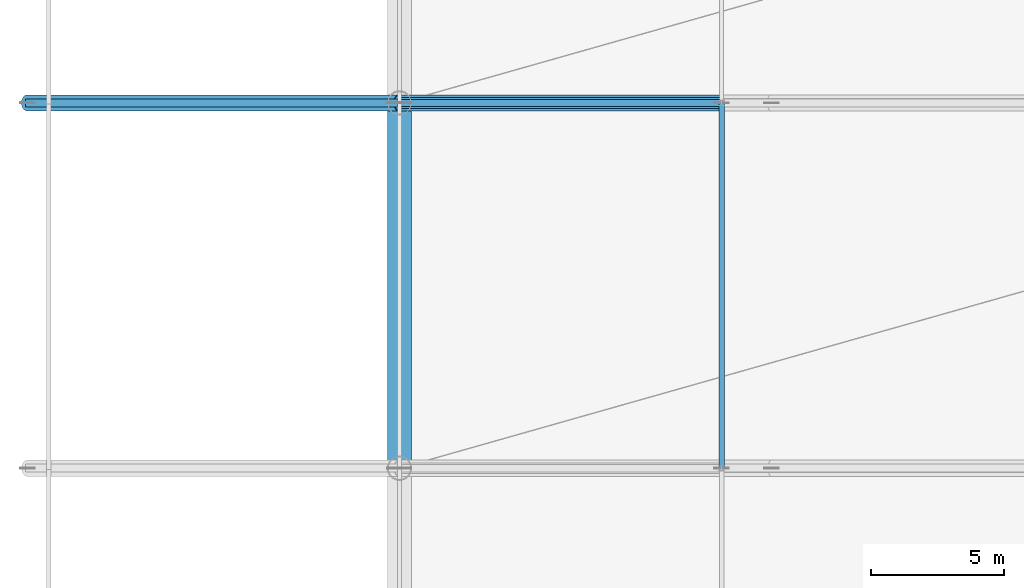
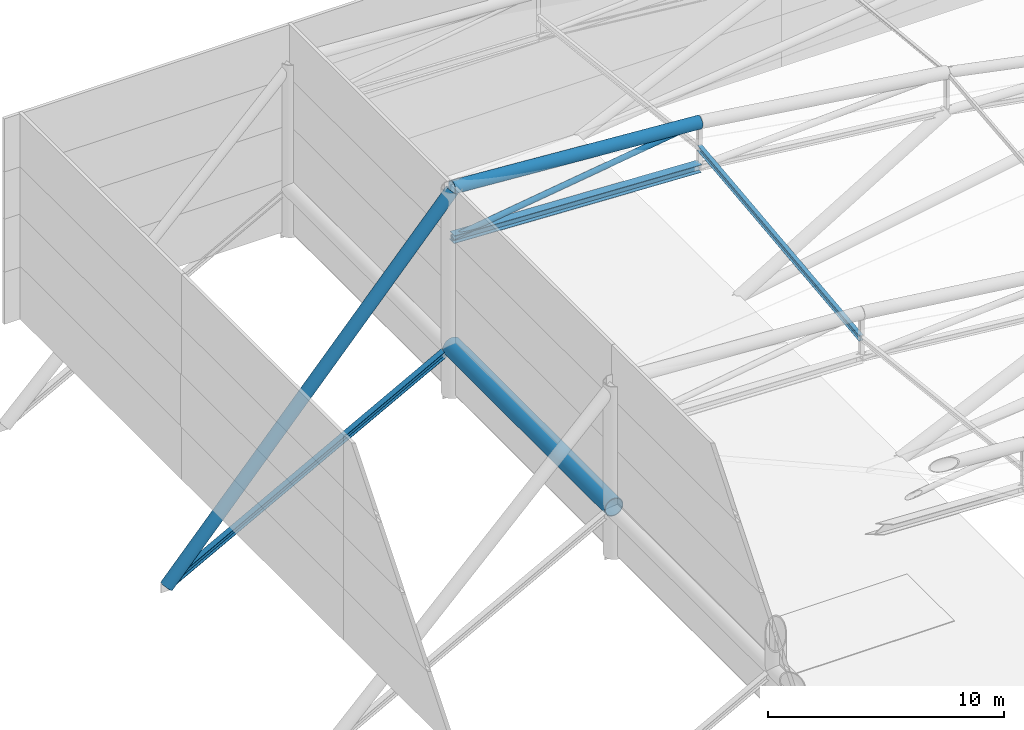
# One storey, part 19 of 36: 6 members, 1 beam.
"""IFC4 building model written with IfcOpenShell, lengths in metres."""

from ifc_helpers import new_model, si_unit, direction, frame, origin, origin_2d, place, context, subcontext, project, spatial, hollow_circle, i_section, extrude, material, material_profile, profile_set, type_object, element, save


model = new_model("IFC4")

# Units and contexts
model_context = context("Model", 3, precision=1e-05, world=origin(), true_north=direction((0.0, 1.0)))
body_context = subcontext(model_context, "Body", "Model", "MODEL_VIEW")
ifc_project = project(units=[si_unit("LENGTHUNIT", "METRE"), si_unit("AREAUNIT", "SQUARE_METRE"), si_unit("VOLUMEUNIT", "CUBIC_METRE"), si_unit("PLANEANGLEUNIT", "RADIAN"), si_unit("MASSUNIT", "GRAM", prefix="KILO")], contexts=[model_context])

# Site, building, storey
site_placement = place(None, origin())
site = spatial("IfcSite", under=ifc_project, at=site_placement, CompositionType="ELEMENT")
building_placement = place(site_placement, origin())
building = spatial("IfcBuilding", under=site, at=building_placement, Name="Linyun Crest Stadium", CompositionType="ELEMENT")
storey_placement = place(building_placement, frame((0.0, 0.0, 31.60009765625)))
storey = spatial("IfcBuildingStorey", under=building, at=storey_placement, Name="RF", CompositionType="ELEMENT", Elevation=31.60009765625)

# Beam
ifc_material_1 = material(Name="Steel Q420C", Category="steel")
ifc_material_profile_1 = material_profile(ifc_material_1, hollow_circle(Radius=0.45703125, WallThickness=0.0380859375, at=origin_2d()), Name="CHS 914x38")
ifc_profile_set_1 = profile_set([ifc_material_profile_1], Name="Steel Q420C")
beam_type = type_object("IfcBeamType", Name="HB02", PredefinedType="USERDEFINED", material=ifc_profile_set_1)
beam_placement = place(storey_placement, frame((-84.0, 15.875, 2.164794921875), z_axis=(0.0, 1.0, 0.0), x_axis=(-1.0, 0.0, 0.0)))
element("IfcBeam", 1, at=beam_placement, inside=storey, type_object=beam_type, Name="Roof Outer compression ring beam HB02 V1 12", ObjectType="RING BEAM", PredefinedType="USERDEFINED", context=body_context, shape_type="SweptSolid", body=[
    extrude(hollow_circle(Radius=0.45703125, WallThickness=0.0380859375, at=origin_2d()), origin(), (0.0, 0.0, 1.0), 13.75),
])

# Members
ifc_material_2 = material(Name="Steel Q355B", Category="steel")
ifc_material_profile_2 = material_profile(ifc_material_2, i_section(OverallWidth=0.199951171875, OverallDepth=0.2939453125, WebThickness=0.008056640625, FlangeThickness=0.011962890625, at=origin_2d()), Name="HM 294x200")
ifc_profile_set_2 = profile_set([ifc_material_profile_2], Name="Steel Q355B")
member_type_1 = type_object("IfcMemberType", Name="PR06", PredefinedType="PURLIN", material=ifc_profile_set_2)
member_1_placement = place(storey_placement, frame((-71.875, 15.875, 6.679931640625), z_axis=(0.0, 0.99369795001, 0.112090963715), x_axis=(-1.0, 0.0, 0.0)))
element("IfcMember", 2, at=member_1_placement, inside=storey, type_object=member_type_1, Name="Roof canopy purlin PR06 V1 173", PredefinedType="PURLIN", context=body_context, shape_type="SweptSolid", body=[
    extrude(i_section(OverallWidth=0.199951171875, OverallDepth=0.2939453125, WebThickness=0.008056640625, FlangeThickness=0.011962890625, at=origin_2d()), origin(), (0.0, 0.0, 1.0), 13.837158203125),
])
ifc_material_3 = material(Name="Steel Q420C", Category="steel")
ifc_material_profile_3 = material_profile(ifc_material_3, hollow_circle(Radius=0.304931640625, WallThickness=0.030029296875, at=origin_2d()), Name="CHS 610x30")
ifc_profile_set_3 = profile_set([ifc_material_profile_3], Name="Steel Q420C")
member_type_2 = type_object("IfcMemberType", Name="TC02", PredefinedType="CHORD", material=ifc_profile_set_3)
member_2_placement = place(storey_placement, frame((-84.0, 29.625, 10.25), z_axis=(-0.66719573983, 0.0, -0.744882436867), x_axis=(0.0, -1.0, 0.0)))
element("IfcMember", 3, at=member_2_placement, inside=storey, type_object=member_type_2, Name="Roof truss back-stay chord TC02 V1 115", PredefinedType="CHORD", context=body_context, shape_type="SweptSolid", body=[
    extrude(hollow_circle(Radius=0.304931640625, WallThickness=0.030029296875, at=origin_2d()), origin(), (0.0, 0.0, 1.0), 20.9833984375),
])
member_3_placement = place(storey_placement, frame((-84.0, 29.625, 10.39990234375), z_axis=(0.997482094845, 0.0, -0.070918759602), x_axis=(0.0, 1.0, 0.0)))
element("IfcMember", 4, at=member_3_placement, inside=storey, type_object=member_type_2, Name="Roof truss top chord TC02 V1 117", PredefinedType="CHORD", context=body_context, shape_type="SweptSolid", body=[
    extrude(hollow_circle(Radius=0.304931640625, WallThickness=0.030029296875, at=origin_2d()), origin(), (0.0, 0.0, 1.0), 12.155517578125),
])
ifc_material_4 = material(Name="Steel Q355C", Category="steel")
ifc_material_profile_4 = material_profile(ifc_material_4, i_section(OverallWidth=0.300048828125, OverallDepth=0.300048828125, WebThickness=0.010009765625, FlangeThickness=0.014892578125, at=origin_2d()), Name="HW 300x300")
ifc_profile_set_4 = profile_set([ifc_material_profile_4], Name="Steel Q355C")
member_type_3 = type_object("IfcMemberType", Name="TC03", PredefinedType="CHORD", material=ifc_profile_set_4)
member_4_placement = place(storey_placement, frame((-84.0, 29.625, 2.164794921875), z_axis=(-0.880301475787, 0.0, -0.474414704376), x_axis=(0.0, -1.0, 0.0)))
element("IfcMember", 5, at=member_4_placement, inside=storey, type_object=member_type_3, Name="Roof truss lower back-span chord TC03 V1 116", PredefinedType="CHORD", context=body_context, shape_type="SweptSolid", body=[
    extrude(i_section(OverallWidth=0.300048828125, OverallDepth=0.300048828125, WebThickness=0.010009765625, FlangeThickness=0.014892578125, at=origin_2d()), origin(), (0.0, 0.0, 1.0), 15.903564453125),
])
ifc_material_5 = material(Name="Steel Q420C", Category="steel")
ifc_material_profile_5 = material_profile(ifc_material_5, i_section(OverallWidth=0.407958984375, OverallDepth=0.39990234375, WebThickness=0.02099609375, FlangeThickness=0.02099609375, at=origin_2d()), Name="HW 400x408")
ifc_profile_set_5 = profile_set([ifc_material_profile_5], Name="Steel Q420C")
member_type_4 = type_object("IfcMemberType", Name="TC04", PredefinedType="CHORD", material=ifc_profile_set_5)
member_5_placement = place(storey_placement, frame((-84.0, 29.625, 7.7998046875), z_axis=(0.998973511028, 0.0, -0.045298170643), x_axis=(0.0, 1.0, 0.0)))
element("IfcMember", 6, at=member_5_placement, inside=storey, type_object=member_type_4, Name="Roof truss bottom chord TC04 V1 118", PredefinedType="CHORD", context=body_context, shape_type="SweptSolid", body=[
    extrude(i_section(OverallWidth=0.407958984375, OverallDepth=0.39990234375, WebThickness=0.02099609375, FlangeThickness=0.02099609375, at=origin_2d()), origin(), (0.0, 0.0, 1.0), 12.137451171875),
])
ifc_material_6 = material(Name="Steel Q355C", Category="steel")
ifc_material_profile_6 = material_profile(ifc_material_6, hollow_circle(Radius=0.136474609375, WallThickness=0.013916015625, at=origin_2d()), Name="CHS 273x14")
ifc_profile_set_6 = profile_set([ifc_material_profile_6], Name="Steel Q355C")
member_type_5 = type_object("IfcMemberType", Name="TD01", PredefinedType="BRACE", material=ifc_profile_set_6)
member_6_placement = place(storey_placement, frame((-84.0, 29.625, 7.7998046875), z_axis=(0.989882012596, 0.0, 0.141892921385), x_axis=(0.0, 1.0, 0.0)))
element("IfcMember", 7, at=member_6_placement, inside=storey, type_object=member_type_5, Name="Roof truss diagonal TD01 V1 119", PredefinedType="BRACE", context=body_context, shape_type="SweptSolid", body=[
    extrude(hollow_circle(Radius=0.136474609375, WallThickness=0.013916015625, at=origin_2d()), origin(), (0.0, 0.0, 1.0), 12.2490234375),
])

save(model, "model.ifc")
